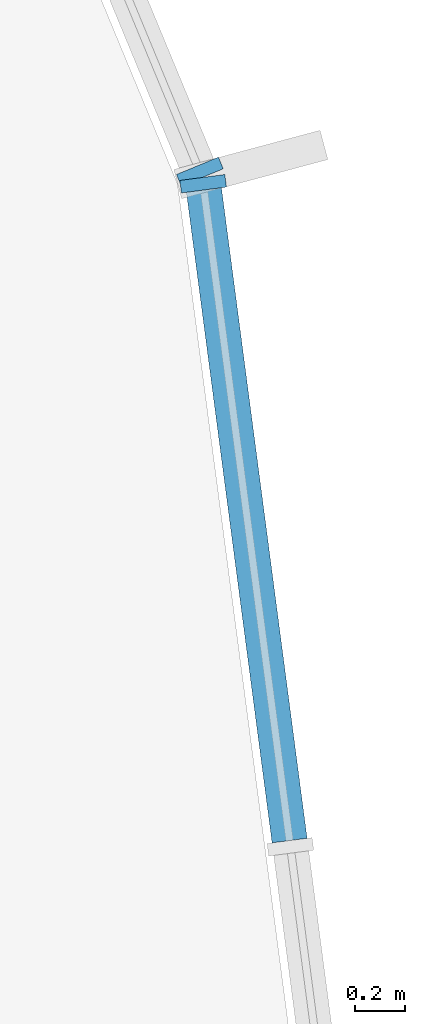
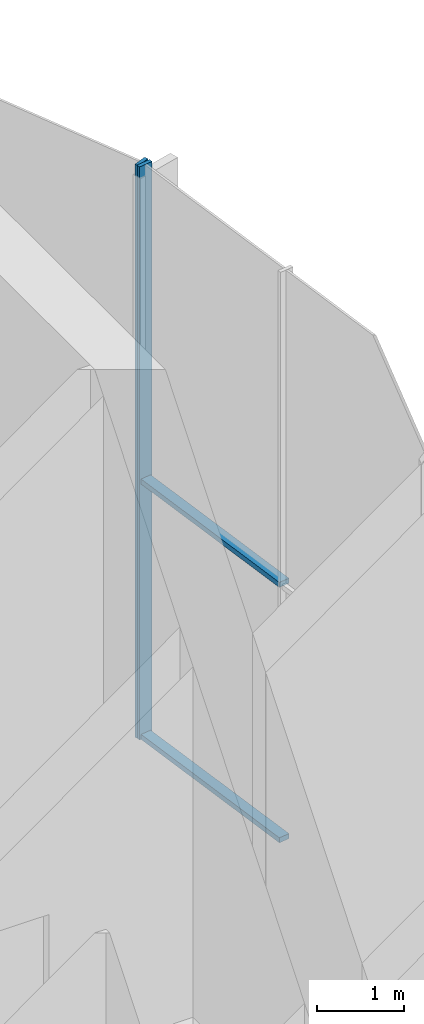
# One storey, part 6 of 18: 4 members, 2 elements without a shape of their own.
"""IFC4 building model written with IfcOpenShell, lengths in metres."""

from ifc_helpers import new_model, si_unit, direction, frame, origin, origin_2d, place, context, subcontext, project, spatial, rectangle, extrude, material, layer, layer_set, material_profile, profile_set, type_object, element, aggregate, save


model = new_model("IFC4")

# Units and contexts
model_context = context("Model", 3, precision=1e-05, world=origin(), true_north=direction((0.0, 1.0)))
body_context = subcontext(model_context, "Body", "Model", "MODEL_VIEW")
ifc_project = project(units=[si_unit("LENGTHUNIT", "METRE"), si_unit("AREAUNIT", "SQUARE_METRE"), si_unit("VOLUMEUNIT", "CUBIC_METRE"), si_unit("PLANEANGLEUNIT", "RADIAN"), si_unit("MASSUNIT", "GRAM", prefix="KILO")], contexts=[model_context])

# Site, building, storey
site_placement = place(None, origin())
site = spatial("IfcSite", under=ifc_project, at=site_placement, CompositionType="ELEMENT")
building_placement = place(site_placement, origin())
building = spatial("IfcBuilding", under=site, at=building_placement, Name="Torre Brocal", CompositionType="ELEMENT")
storey_placement = place(building_placement, frame((0.0, 0.0, 149.699951171875)))
storey = spatial("IfcBuildingStorey", under=building, at=storey_placement, Name="L35", CompositionType="ELEMENT", Elevation=149.699951171875)

# Curtain wall, member
ifc_material_1 = material(Name="Aluminium and glass", Category="aluminium")
ifc_layer = layer(ifc_material_1, 0.199951171875)
ifc_layer_set = layer_set([ifc_layer], Name="Aluminium and glass")
curtain_wall_type = type_object("IfcCurtainWallType", Name="CW-4 CURTAIN WALL 8000 HIGH", PredefinedType="NOTDEFINED", material=ifc_layer_set)
curtain_wall_1_placement = place(storey_placement, origin())
curtain_wall_1 = element("IfcCurtainWall", 1, at=curtain_wall_1_placement, inside=storey, type_object=curtain_wall_type, Name="CW-4 RUN 1", PredefinedType="NOTDEFINED")
ifc_material_2 = material(Name="Aluminium, dark anodised", Category="aluminium")
ifc_material_profile_1 = material_profile(ifc_material_2, rectangle(XDim=0.179931640625, YDim=0.050048828125, at=origin_2d()), Name="CW-4 MULLION 50X180")
ifc_profile_set_1 = profile_set([ifc_material_profile_1], Name="Aluminium, dark anodised")
member_type_1 = type_object("IfcMemberType", Name="CW-4 MULLION 50X180", PredefinedType="MULLION", material=ifc_profile_set_1)
member_1_placement = place(storey_placement, frame((105.02001953125, 81.678466796875, 0.0), z_axis=(0.0, 0.0, 1.0), x_axis=(-0.991444861374, -0.13052619222, 0.0)))
member_1 = element("IfcMember", 2, at=member_1_placement, type_object=member_type_1, Name="CW4-1 mullion 3", PredefinedType="MULLION", context=body_context, shape_type="SweptSolid", body=[
    extrude(rectangle(XDim=0.179931640625, YDim=0.050048828125, at=origin_2d()), origin(), (0.0, 0.0, 1.0), 8.0),
])

curtain_wall_2_placement = place(storey_placement, origin())
curtain_wall_2 = element("IfcCurtainWall", 3, at=curtain_wall_2_placement, inside=storey, type_object=curtain_wall_type, Name="CW-4 RUN 2", PredefinedType="NOTDEFINED")
member_2_placement = place(storey_placement, frame((105.007080078125, 81.726318359375, 0.0), z_axis=(0.0, 0.0, 1.0), x_axis=(-0.923879532525, -0.382683432333, 0.0)))
member_2 = element("IfcMember", 4, at=member_2_placement, type_object=member_type_1, Name="CW4-1 mullion 1", PredefinedType="MULLION", context=body_context, shape_type="SweptSolid", body=[
    extrude(rectangle(XDim=0.179931640625, YDim=0.050048828125, at=origin_2d()), origin(), (0.0, 0.0, 1.0), 8.0),
])
aggregate(curtain_wall_2, [member_2])

# Member
ifc_material_3 = material(Name="Aluminium, dark anodised", Category="aluminium")
ifc_material_profile_2 = material_profile(ifc_material_3, rectangle(XDim=0.139892578125, YDim=0.070068359375, at=origin_2d()), Name="CW-4 TRANSOM 140X70")
ifc_profile_set_2 = profile_set([ifc_material_profile_2], Name="Aluminium, dark anodised")
member_type_2 = type_object("IfcMemberType", Name="CW-4 TRANSOM 140X70", PredefinedType="USERDEFINED", material=ifc_profile_set_2)
member_3_placement = place(storey_placement, frame((105.362548828125, 79.076416015625, 0.03515625), z_axis=(-0.130551694767, 0.991441503566, 0.0), x_axis=(-0.991441503566, -0.130551694767, 0.0)))
member_3 = element("IfcMember", 5, at=member_3_placement, type_object=member_type_2, Name="CW4-1 transom 2.1", ObjectType="TRANSOM", PredefinedType="USERDEFINED", context=body_context, shape_type="SweptSolid", body=[
    extrude(rectangle(XDim=0.139892578125, YDim=0.070068359375, at=origin_2d()), origin(), (0.0, 0.0, 1.0), 2.599365234375),
])

member_4_placement = place(storey_placement, frame((105.362548828125, 79.076416015625, 3.60009765625), z_axis=(-0.130551694767, 0.991441503566, 0.0), x_axis=(-0.991441503566, -0.130551694767, 0.0)))
member_4 = element("IfcMember", 6, at=member_4_placement, type_object=member_type_2, Name="CW4-1 transom 2.2", ObjectType="TRANSOM", PredefinedType="USERDEFINED", context=body_context, shape_type="SweptSolid", body=[
    extrude(rectangle(XDim=0.139892578125, YDim=0.070068359375, at=origin_2d()), origin(), (0.0, 0.0, 1.0), 2.599365234375),
])

aggregate(curtain_wall_1, [member_1, member_3, member_4])

save(model, "model.ifc")
